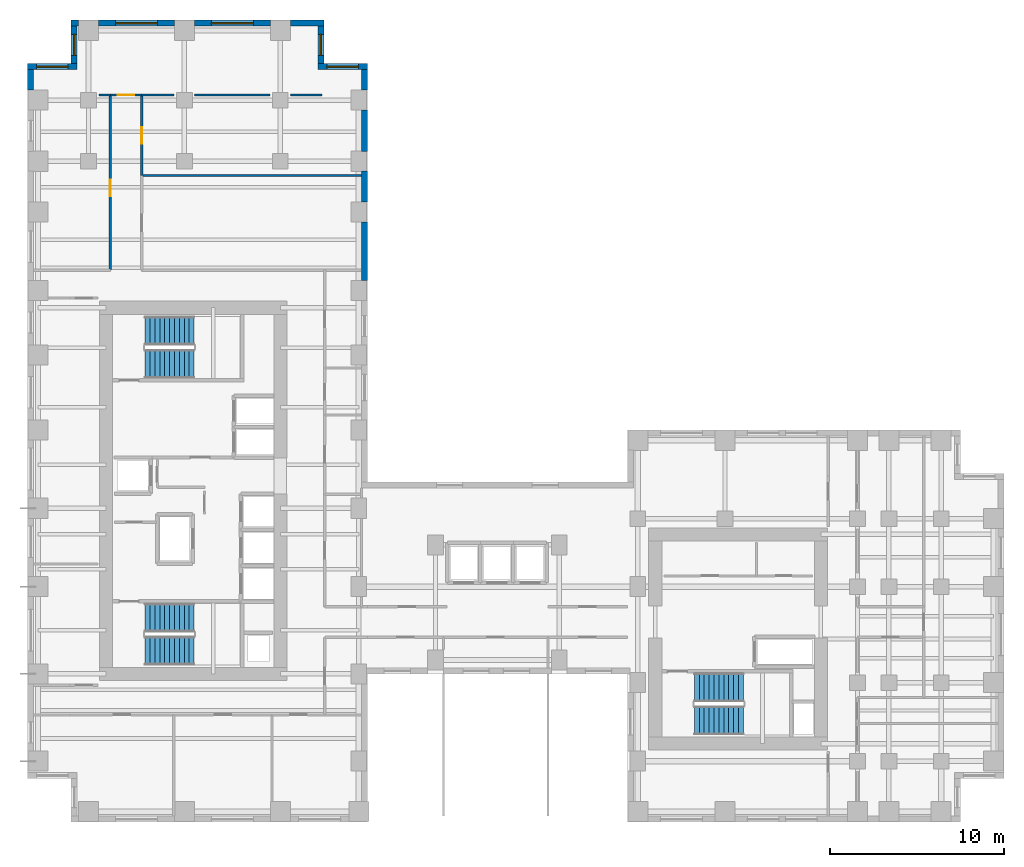
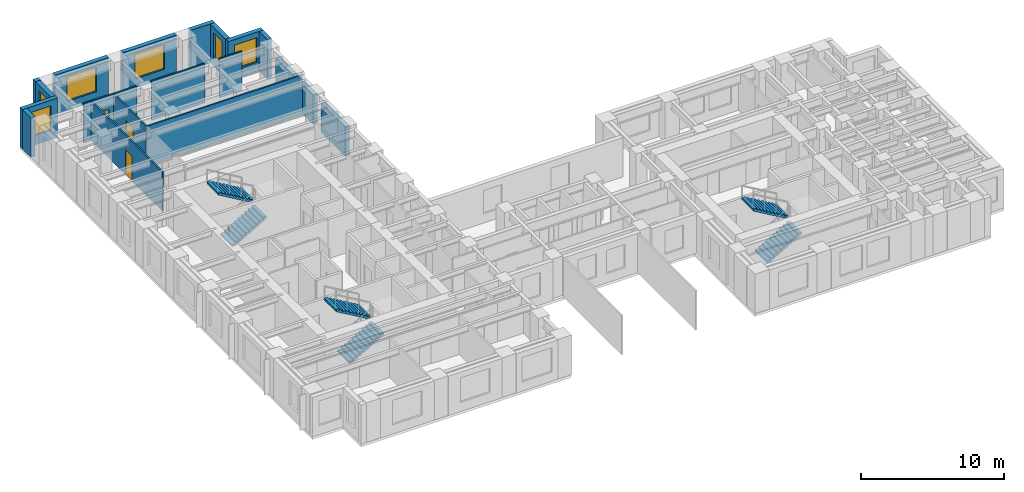
# One storey, part 9 of 11: 21 walls, 6 stair flights, 6 windows, 3 doors, 9 openings, 3 elements without a shape of their own.
"""IFC4 building model written with IfcOpenShell, lengths in metres."""

from ifc_helpers import new_model, si_unit, direction, frame, frame_2d, origin, place, context, subcontext, project, spatial, polyline, rectangle, outline, extrude, source, transform, mapped, material, layer, layer_set, type_object, element, fill, aggregate, save


model = new_model("IFC4")

# Units and contexts
model_context = context("Model", 3, precision=1e-05, world=origin(), true_north=direction((0.0, 1.0)))
body_context = subcontext(model_context, "Body", "Model", "MODEL_VIEW")
ifc_project = project(units=[si_unit("LENGTHUNIT", "METRE"), si_unit("AREAUNIT", "SQUARE_METRE"), si_unit("VOLUMEUNIT", "CUBIC_METRE"), si_unit("PLANEANGLEUNIT", "RADIAN"), si_unit("MASSUNIT", "GRAM", prefix="KILO")], contexts=[model_context])

# Site, building, storey
site_placement = place(None, origin())
site = spatial("IfcSite", under=ifc_project, at=site_placement, CompositionType="ELEMENT")
building_placement = place(site_placement, origin())
building = spatial("IfcBuilding", under=site, at=building_placement, Name="Kharzan Plaza Tower", CompositionType="ELEMENT")
storey_placement = place(building_placement, frame((0.0, 0.0, 120.60009765625)))
storey = spatial("IfcBuildingStorey", under=building, at=storey_placement, Name="L32", CompositionType="ELEMENT", Elevation=120.60009765625)

# Wall, opening, window
ifc_material_1 = material(Name="Concrete C40/50", Category="concrete")
ifc_layer_1 = layer(ifc_material_1, 0.35009765625)
ifc_layer_set_1 = layer_set([ifc_layer_1], Name="Concrete C40/50")
wall_type_1 = type_object("IfcWallType", Name="WL-EXT-MAS-Z2", PredefinedType="SOLIDWALL", material=ifc_layer_set_1)
wall_1_placement = place(storey_placement, frame((19.5, 43.324951171875, 0.0), z_axis=(0.0, 0.0, 1.0), x_axis=(-1.0, 0.0, 0.0)))
wall_1 = element("IfcWall", 1, at=wall_1_placement, inside=storey, type_object=wall_type_1, Name="L32 Masonry-Frame Exterior Wall 08", PredefinedType="SOLIDWALL", context=body_context, shape_type="SweptSolid", body=[
    extrude(rectangle(XDim=2.85009765625, YDim=0.35009765625, at=frame_2d((1.425048828125, 0.0))), origin(), (0.0, 0.0, 1.0), 3.364990234375),
])
opening_1_placement = place(wall_1_placement, frame((0.52490234375, 0.0, 0.780029296875)))
opening_1 = element("IfcOpeningElement", 2, at=opening_1_placement, cuts=wall_1, Name="Opening W1", PredefinedType="OPENING", context=body_context, shape_type="SweptSolid", body=[
    extrude(rectangle(XDim=1.800048828125, YDim=2.10009765625, at=frame_2d((0.89990234375, 1.050048828125))), frame((0.0, 0.18505859375, 0.0), z_axis=(0.0, -1.0, 0.0), x_axis=(1.0, 0.0, 0.0)), (0.0, 0.0, 1.0), 0.3701171875),
])
ifc_material_2 = material(Name="Low-E Double Glazing", Category="glass")
window_type_1 = type_object("IfcWindowType", Name="WN-REC-1800x2100", PartitioningType="SINGLE_PANEL", PredefinedType="WINDOW", material=ifc_material_2)
shared_shape_1 = source(origin(), body_context, "Body", "SweptSolid", [
    extrude(rectangle(XDim=1.800048828125, YDim=2.10009765625, at=frame_2d((0.89990234375, 1.050048828125))), frame((0.0, 0.030029296875, 0.0), z_axis=(0.0, -1.0, 0.0), x_axis=(1.0, 0.0, 0.0)), (0.0, 0.0, 1.0), 0.06005859375),
])
window_1_placement = place(opening_1_placement, origin())
window_1 = element("IfcWindow", 3, at=window_1_placement, inside=storey, type_object=window_type_1, Name="L32 Recessed Solar-Control Window 08-1", OverallHeight=2.10009765625, OverallWidth=1.800048828125, PartitioningType="SINGLE_PANEL", PredefinedType="WINDOW", context=body_context, shape_type="MappedRepresentation", body=[
    mapped(shared_shape_1, transform((0.0, 0.0, 0.0), x_axis=(1.0, 0.0, 0.0), y_axis=(0.0, 1.0, 0.0), z_axis=(0.0, 0.0, 1.0))),
])
fill(opening_1, window_1)

wall_2_placement = place(storey_placement, frame((16.824951171875, 43.498046875, 0.0), z_axis=(0.0, 0.0, 1.0), x_axis=(0.0, 1.0, 0.0)))
wall_2 = element("IfcWall", 4, at=wall_2_placement, inside=storey, type_object=wall_type_1, Name="L32 Masonry-Frame Exterior Wall 09", PredefinedType="SOLIDWALL", context=body_context, shape_type="SweptSolid", body=[
    extrude(rectangle(XDim=2.154052734375, YDim=0.35009765625, at=frame_2d((1.0771484375, 0.0))), origin(), (0.0, 0.0, 1.0), 3.364990234375),
])
opening_2_placement = place(wall_2_placement, frame((0.47705078125, 0.0, 0.780029296875)))
opening_2 = element("IfcOpeningElement", 5, at=opening_2_placement, cuts=wall_2, Name="Opening W3", PredefinedType="OPENING", context=body_context, shape_type="SweptSolid", body=[
    extrude(rectangle(XDim=1.199951171875, YDim=2.10009765625, at=frame_2d((0.60009765625, 1.050048828125))), frame((0.0, 0.18505859375, 0.0), z_axis=(0.0, -1.0, 0.0), x_axis=(1.0, 0.0, 0.0)), (0.0, 0.0, 1.0), 0.3701171875),
])
window_type_2 = type_object("IfcWindowType", Name="WN-REC-1200x2100", PartitioningType="SINGLE_PANEL", PredefinedType="WINDOW", material=ifc_material_2)
shared_shape_2 = source(origin(), body_context, "Body", "SweptSolid", [
    extrude(rectangle(XDim=1.199951171875, YDim=2.10009765625, at=frame_2d((0.60009765625, 1.050048828125))), frame((0.0, 0.030029296875, 0.0), z_axis=(0.0, -1.0, 0.0), x_axis=(1.0, 0.0, 0.0)), (0.0, 0.0, 1.0), 0.06005859375),
])
window_2_placement = place(opening_2_placement, origin())
window_2 = element("IfcWindow", 6, at=window_2_placement, inside=storey, type_object=window_type_2, Name="L32 Recessed Solar-Control Window 09-1", OverallHeight=2.10009765625, OverallWidth=1.199951171875, PartitioningType="SINGLE_PANEL", PredefinedType="WINDOW", context=body_context, shape_type="MappedRepresentation", body=[
    mapped(shared_shape_2, transform((0.0, 0.0, 0.0), x_axis=(1.0, 0.0, 0.0), y_axis=(0.0, 1.0, 0.0), z_axis=(0.0, 0.0, 1.0))),
])
fill(opening_2, window_2)

wall_3_placement = place(storey_placement, frame((13.927001953125, 45.824951171875, 0.0), z_axis=(0.0, 0.0, 1.0), x_axis=(-1.0, 0.0, 0.0)))
wall_3 = element("IfcWall", 7, at=wall_3_placement, inside=storey, type_object=wall_type_1, Name="L32 Masonry-Frame Exterior Wall 11", PredefinedType="SOLIDWALL", context=body_context, shape_type="SweptSolid", body=[
    extrude(rectangle(XDim=4.35400390625, YDim=0.35009765625, at=frame_2d((2.177001953125, 0.0))), origin(), (0.0, 0.0, 1.0), 3.364990234375),
])
opening_3_placement = place(wall_3_placement, frame((0.97705078125, 0.0, 0.780029296875)))
opening_3 = element("IfcOpeningElement", 8, at=opening_3_placement, cuts=wall_3, Name="Opening W2", PredefinedType="OPENING", context=body_context, shape_type="SweptSolid", body=[
    extrude(rectangle(XDim=2.39990234375, YDim=2.10009765625, at=frame_2d((1.199951171875, 1.050048828125))), frame((0.0, 0.18505859375, 0.0), z_axis=(0.0, -1.0, 0.0), x_axis=(1.0, 0.0, 0.0)), (0.0, 0.0, 1.0), 0.3701171875),
])
window_type_3 = type_object("IfcWindowType", Name="WN-REC-2400x2100", PartitioningType="SINGLE_PANEL", PredefinedType="WINDOW", material=ifc_material_2)
shared_shape_3 = source(origin(), body_context, "Body", "SweptSolid", [
    extrude(rectangle(XDim=2.39990234375, YDim=2.10009765625, at=frame_2d((1.199951171875, 1.050048828125))), frame((0.0, 0.030029296875, 0.0), z_axis=(0.0, -1.0, 0.0), x_axis=(1.0, 0.0, 0.0)), (0.0, 0.0, 1.0), 0.06005859375),
])
window_3_placement = place(opening_3_placement, origin())
window_3 = element("IfcWindow", 9, at=window_3_placement, inside=storey, type_object=window_type_3, Name="L32 Wide Recessed Solar-Control Window 11-1", OverallHeight=2.10009765625, OverallWidth=2.39990234375, PartitioningType="SINGLE_PANEL", PredefinedType="WINDOW", context=body_context, shape_type="MappedRepresentation", body=[
    mapped(shared_shape_3, transform((0.0, 0.0, 0.0), x_axis=(1.0, 0.0, 0.0), y_axis=(0.0, 1.0, 0.0), z_axis=(0.0, 0.0, 1.0))),
])
fill(opening_3, window_3)

wall_4_placement = place(storey_placement, frame((8.427001953125, 45.824951171875, 0.0), z_axis=(0.0, 0.0, 1.0), x_axis=(-1.0, 0.0, 0.0)))
wall_4 = element("IfcWall", 10, at=wall_4_placement, inside=storey, type_object=wall_type_1, Name="L32 Masonry-Frame Exterior Wall 12", PredefinedType="SOLIDWALL", context=body_context, shape_type="SweptSolid", body=[
    extrude(rectangle(XDim=4.35400390625, YDim=0.35009765625, at=frame_2d((2.177001953125, 0.0))), origin(), (0.0, 0.0, 1.0), 3.364990234375),
])
opening_4_placement = place(wall_4_placement, frame((0.97705078125, 0.0, 0.780029296875)))
opening_4 = element("IfcOpeningElement", 11, at=opening_4_placement, cuts=wall_4, Name="Opening W2", PredefinedType="OPENING", context=body_context, shape_type="SweptSolid", body=[
    extrude(rectangle(XDim=2.39990234375, YDim=2.10009765625, at=frame_2d((1.199951171875, 1.050048828125))), frame((0.0, 0.18505859375, 0.0), z_axis=(0.0, -1.0, 0.0), x_axis=(1.0, 0.0, 0.0)), (0.0, 0.0, 1.0), 0.3701171875),
])
window_4_placement = place(opening_4_placement, origin())
window_4 = element("IfcWindow", 12, at=window_4_placement, inside=storey, type_object=window_type_3, Name="L32 Wide Recessed Solar-Control Window 12-1", OverallHeight=2.10009765625, OverallWidth=2.39990234375, PartitioningType="SINGLE_PANEL", PredefinedType="WINDOW", context=body_context, shape_type="MappedRepresentation", body=[
    mapped(shared_shape_3, transform((0.0, 0.0, 0.0), x_axis=(1.0, 0.0, 0.0), y_axis=(0.0, 1.0, 0.0), z_axis=(0.0, 0.0, 1.0))),
])
fill(opening_4, window_4)

wall_5_placement = place(storey_placement, frame((2.675048828125, 45.652099609375, 0.0), z_axis=(0.0, 0.0, 1.0), x_axis=(0.0, -1.0, 0.0)))
wall_5 = element("IfcWall", 13, at=wall_5_placement, inside=storey, type_object=wall_type_1, Name="L32 Masonry-Frame Exterior Wall 14", PredefinedType="SOLIDWALL", context=body_context, shape_type="SweptSolid", body=[
    extrude(rectangle(XDim=2.154052734375, YDim=0.35009765625, at=frame_2d((1.0771484375, 0.0))), origin(), (0.0, 0.0, 1.0), 3.364990234375),
])
opening_5_placement = place(wall_5_placement, frame((0.47705078125, 0.0, 0.780029296875)))
opening_5 = element("IfcOpeningElement", 14, at=opening_5_placement, cuts=wall_5, Name="Opening W3", PredefinedType="OPENING", context=body_context, shape_type="SweptSolid", body=[
    extrude(rectangle(XDim=1.199951171875, YDim=2.10009765625, at=frame_2d((0.60009765625, 1.050048828125))), frame((0.0, 0.18505859375, 0.0), z_axis=(0.0, -1.0, 0.0), x_axis=(1.0, 0.0, 0.0)), (0.0, 0.0, 1.0), 0.3701171875),
])
window_5_placement = place(opening_5_placement, origin())
window_5 = element("IfcWindow", 15, at=window_5_placement, inside=storey, type_object=window_type_2, Name="L32 Recessed Solar-Control Window 14-1", OverallHeight=2.10009765625, OverallWidth=1.199951171875, PartitioningType="SINGLE_PANEL", PredefinedType="WINDOW", context=body_context, shape_type="MappedRepresentation", body=[
    mapped(shared_shape_2, transform((0.0, 0.0, 0.0), x_axis=(1.0, 0.0, 0.0), y_axis=(0.0, 1.0, 0.0), z_axis=(0.0, 0.0, 1.0))),
])
fill(opening_5, window_5)

wall_6_placement = place(storey_placement, frame((2.85009765625, 43.324951171875, 0.0), z_axis=(0.0, 0.0, 1.0), x_axis=(-1.0, 0.0, 0.0)))
wall_6 = element("IfcWall", 16, at=wall_6_placement, inside=storey, type_object=wall_type_1, Name="L32 Masonry-Frame Exterior Wall 15", PredefinedType="SOLIDWALL", context=body_context, shape_type="SweptSolid", body=[
    extrude(rectangle(XDim=2.85009765625, YDim=0.35009765625, at=frame_2d((1.425048828125, 0.0))), origin(), (0.0, 0.0, 1.0), 3.364990234375),
])
opening_6_placement = place(wall_6_placement, frame((0.52490234375, 0.0, 0.780029296875)))
opening_6 = element("IfcOpeningElement", 17, at=opening_6_placement, cuts=wall_6, Name="Opening W1", PredefinedType="OPENING", context=body_context, shape_type="SweptSolid", body=[
    extrude(rectangle(XDim=1.800048828125, YDim=2.10009765625, at=frame_2d((0.89990234375, 1.050048828125))), frame((0.0, 0.18505859375, 0.0), z_axis=(0.0, -1.0, 0.0), x_axis=(1.0, 0.0, 0.0)), (0.0, 0.0, 1.0), 0.3701171875),
])
window_6_placement = place(opening_6_placement, origin())
window_6 = element("IfcWindow", 18, at=window_6_placement, inside=storey, type_object=window_type_1, Name="L32 Recessed Solar-Control Window 15-1", OverallHeight=2.10009765625, OverallWidth=1.800048828125, PartitioningType="SINGLE_PANEL", PredefinedType="WINDOW", context=body_context, shape_type="MappedRepresentation", body=[
    mapped(shared_shape_1, transform((0.0, 0.0, 0.0), x_axis=(1.0, 0.0, 0.0), y_axis=(0.0, 1.0, 0.0), z_axis=(0.0, 0.0, 1.0))),
])
fill(opening_6, window_6)

# Wall, opening, door
ifc_material_3 = material(Name="Fire-Rated Gypsum Board Partition", Category="gypsum")
ifc_layer_2 = layer(ifc_material_3, 0.125)
ifc_layer_set_2 = layer_set([ifc_layer_2], Name="Fire-Rated Gypsum Board Partition")
wall_type_2 = type_object("IfcWallType", Name="WL-INT-PART-125", PredefinedType="PARTITIONING", material=ifc_layer_set_2)
wall_7_placement = place(storey_placement, frame((6.550048828125, 37.076904296875, 0.0), z_axis=(0.0, 0.0, 1.0), x_axis=(0.0, 1.0, 0.0)))
wall_7 = element("IfcWall", 19, at=wall_7_placement, inside=storey, type_object=wall_type_2, Name="L32 Interior Partition SH-SPE-2", PredefinedType="PARTITIONING", context=body_context, shape_type="SweptSolid", body=[
    extrude(rectangle(XDim=4.623046875, YDim=0.125, at=frame_2d((2.3115234375, 0.0))), origin(), (0.0, 0.0, 1.0), 3.364990234375),
])
opening_7_placement = place(wall_7_placement, frame((1.83642578125, 0.0, 0.0)))
opening_7 = element("IfcOpeningElement", 20, at=opening_7_placement, cuts=wall_7, Name="Opening OD1", PredefinedType="OPENING", context=body_context, shape_type="SweptSolid", body=[
    extrude(rectangle(XDim=0.949951171875, YDim=2.14990234375, at=frame_2d((0.47509765625, 1.074951171875))), frame((0.0, 0.072509765625, 0.0), z_axis=(0.0, -1.0, 0.0), x_axis=(1.0, 0.0, 0.0)), (0.0, 0.0, 1.0), 0.14501953125),
])
ifc_material_4 = material(Name="Acoustic Solid-Core Stained Oak", Category="timber")
door_type = type_object("IfcDoorType", Name="DR-OFF-SINGLE", OperationType="NOTDEFINED", PredefinedType="DOOR", material=ifc_material_4)
shared_shape_4 = source(origin(), body_context, "Body", "SweptSolid", [
    extrude(rectangle(XDim=0.949951171875, YDim=2.14990234375, at=frame_2d((0.47509765625, 1.074951171875))), frame((0.0, 0.02490234375, 0.0), z_axis=(0.0, -1.0, 0.0), x_axis=(1.0, 0.0, 0.0)), (0.0, 0.0, 1.0), 0.050048828125),
])
door_1_placement = place(opening_7_placement, origin())
door_1 = element("IfcDoor", 21, at=door_1_placement, inside=storey, type_object=door_type, Name="L32 Instrumentation Calibration Lab Door", OperationType="SINGLE_SWING_LEFT", OverallHeight=2.14990234375, OverallWidth=0.949951171875, PredefinedType="DOOR", context=body_context, shape_type="MappedRepresentation", body=[
    mapped(shared_shape_4, transform((0.0, 0.0, 0.0), x_axis=(1.0, 0.0, 0.0), y_axis=(0.0, 1.0, 0.0), z_axis=(0.0, 0.0, 1.0))),
])
fill(opening_7, door_1)

wall_8_placement = place(storey_placement, frame((4.75, 41.699951171875, 0.0), z_axis=(0.0, 0.0, 1.0), x_axis=(1.0, 0.0, 0.0)))
wall_8 = element("IfcWall", 22, at=wall_8_placement, inside=storey, type_object=wall_type_2, Name="L32 Interior Partition SH-SPHD", PredefinedType="PARTITIONING", context=body_context, shape_type="SweptSolid", body=[
    extrude(rectangle(XDim=1.800048828125, YDim=0.125, at=frame_2d((0.89990234375, 0.0))), origin(), (0.0, 0.0, 1.0), 3.364990234375),
])
opening_8_placement = place(wall_8_placement, frame((0.425048828125, 0.0, 0.0)))
opening_8 = element("IfcOpeningElement", 23, at=opening_8_placement, cuts=wall_8, Name="Opening OD1", PredefinedType="OPENING", context=body_context, shape_type="SweptSolid", body=[
    extrude(rectangle(XDim=0.949951171875, YDim=2.14990234375, at=frame_2d((0.47509765625, 1.074951171875))), frame((0.0, 0.072509765625, 0.0), z_axis=(0.0, -1.0, 0.0), x_axis=(1.0, 0.0, 0.0)), (0.0, 0.0, 1.0), 0.14501953125),
])
door_2_placement = place(opening_8_placement, origin())
door_2 = element("IfcDoor", 24, at=door_2_placement, inside=storey, type_object=door_type, Name="L32 North Boardroom Door", OperationType="SINGLE_SWING_RIGHT", OverallHeight=2.14990234375, OverallWidth=0.949951171875, PredefinedType="DOOR", context=body_context, shape_type="MappedRepresentation", body=[
    mapped(shared_shape_4, transform((0.0, 0.0, 0.0), x_axis=(1.0, 0.0, 0.0), y_axis=(0.0, 1.0, 0.0), z_axis=(0.0, 0.0, 1.0))),
])
fill(opening_8, door_2)

wall_9_placement = place(storey_placement, frame((4.75, 31.64990234375, 0.0), z_axis=(0.0, 0.0, 1.0), x_axis=(0.0, 1.0, 0.0)))
wall_9 = element("IfcWall", 25, at=wall_9_placement, inside=storey, type_object=wall_type_2, Name="L32 Interior Partition SH-SPW-1", PredefinedType="PARTITIONING", context=body_context, shape_type="SweptSolid", body=[
    extrude(rectangle(XDim=10.050048828125, YDim=0.125, at=frame_2d((5.02490234375, 0.0))), origin(), (0.0, 0.0, 1.0), 3.364990234375),
])
opening_9_placement = place(wall_9_placement, frame((4.2451171875, 0.0, 0.0)))
opening_9 = element("IfcOpeningElement", 26, at=opening_9_placement, cuts=wall_9, Name="Opening OD1", PredefinedType="OPENING", context=body_context, shape_type="SweptSolid", body=[
    extrude(rectangle(XDim=0.949951171875, YDim=2.14990234375, at=frame_2d((0.47509765625, 1.074951171875))), frame((0.0, 0.072509765625, 0.0), z_axis=(0.0, -1.0, 0.0), x_axis=(1.0, 0.0, 0.0)), (0.0, 0.0, 1.0), 0.14501953125),
])
door_3_placement = place(opening_9_placement, origin())
door_3 = element("IfcDoor", 27, at=door_3_placement, inside=storey, type_object=door_type, Name="L32 Staff Tea Pantry Door", OperationType="SINGLE_SWING_LEFT", OverallHeight=2.14990234375, OverallWidth=0.949951171875, PredefinedType="DOOR", context=body_context, shape_type="MappedRepresentation", body=[
    mapped(shared_shape_4, transform((0.0, 0.0, 0.0), x_axis=(1.0, 0.0, 0.0), y_axis=(0.0, 1.0, 0.0), z_axis=(0.0, 0.0, 1.0))),
])
fill(opening_9, door_3)

# Walls
shared_shape_5 = source(origin(), body_context, "Body", "SweptSolid", [
    extrude(rectangle(XDim=1.927001953125, YDim=0.35009765625, at=frame_2d((0.96337890625, 0.0))), origin(), (0.0, 0.0, 1.0), 3.364990234375),
])
wall_10_placement = place(storey_placement, frame((17.0, 45.824951171875, 0.0), z_axis=(0.0, 0.0, 1.0), x_axis=(-1.0, 0.0, 0.0)))
element("IfcWall", 28, at=wall_10_placement, inside=storey, type_object=wall_type_1, Name="L32 Masonry-Frame Exterior Wall 10", PredefinedType="SOLIDWALL", context=body_context, shape_type="MappedRepresentation", body=[
    mapped(shared_shape_5, transform((0.0, 0.0, 0.0), x_axis=(1.0, 0.0, 0.0), y_axis=(0.0, 1.0, 0.0), z_axis=(0.0, 0.0, 1.0))),
])
shared_shape_6 = source(origin(), body_context, "Body", "SweptSolid", [
    extrude(rectangle(XDim=0.427001953125, YDim=0.35009765625, at=frame_2d((0.21337890625, 0.0))), origin(), (0.0, 0.0, 1.0), 3.364990234375),
])
wall_11_placement = place(storey_placement, frame((2.927001953125, 45.824951171875, 0.0), z_axis=(0.0, 0.0, 1.0), x_axis=(-1.0, 0.0, 0.0)))
element("IfcWall", 29, at=wall_11_placement, inside=storey, type_object=wall_type_1, Name="L32 Masonry-Frame Exterior Wall 13", PredefinedType="SOLIDWALL", context=body_context, shape_type="MappedRepresentation", body=[
    mapped(shared_shape_6, transform((0.0, 0.0, 0.0), x_axis=(1.0, 0.0, 0.0), y_axis=(0.0, 1.0, 0.0), z_axis=(0.0, 0.0, 1.0))),
])
shared_shape_7 = source(origin(), body_context, "Body", "SweptSolid", [
    extrude(rectangle(XDim=1.17919921875, YDim=0.35009765625, at=frame_2d((0.589599609375, 0.0))), origin(), (0.0, 0.0, 1.0), 3.364990234375),
])
for number, where, z_axis, x_axis, name in (
    (30, (19.324951171875, 41.972900390625, 0.0), (0.0, 0.0, 1.0), (0.0, 1.0, 0.0), "L32 Masonry-Frame Exterior Wall 07"),
    (31, (0.175048828125, 43.152099609375, 0.0), (0.0, 0.0, 1.0), (0.0, -1.0, 0.0), "L32 Masonry-Frame Exterior Wall 16"),
):
    element("IfcWall", number, at=place(storey_placement, frame(where, z_axis=z_axis, x_axis=x_axis)), inside=storey, type_object=wall_type_1, Name=name, PredefinedType="SOLIDWALL", context=body_context, shape_type="MappedRepresentation", body=[
        mapped(shared_shape_7, transform((0.0, 0.0, 0.0), x_axis=(1.0, 0.0, 0.0), y_axis=(0.0, 1.0, 0.0), z_axis=(0.0, 0.0, 1.0))),
    ])
shared_shape_8 = source(origin(), body_context, "Body", "SweptSolid", [
    extrude(rectangle(XDim=1.75390625, YDim=0.35009765625, at=frame_2d((0.876953125, 0.0))), origin(), (0.0, 0.0, 1.0), 2.518798828125),
])
wall_12_placement = place(storey_placement, frame((19.324951171875, 35.572998046875, 0.0), z_axis=(0.0, 0.0, 1.0), x_axis=(0.0, 1.0, 0.0)))
element("IfcWall", 32, at=wall_12_placement, inside=storey, type_object=wall_type_1, Name="L32 Masonry-Frame Exterior Wall 05", PredefinedType="SOLIDWALL", context=body_context, shape_type="MappedRepresentation", body=[
    mapped(shared_shape_8, transform((0.0, 0.0, 0.0), x_axis=(1.0, 0.0, 0.0), y_axis=(0.0, 1.0, 0.0), z_axis=(0.0, 0.0, 1.0))),
])
shared_shape_9 = source(origin(), body_context, "Body", "SweptSolid", [
    extrude(rectangle(XDim=3.35400390625, YDim=0.35009765625, at=frame_2d((1.677001953125, 0.0))), origin(), (0.0, 0.0, 1.0), 2.518798828125),
])
wall_13_placement = place(storey_placement, frame((19.324951171875, 31.072998046875, 0.0), z_axis=(0.0, 0.0, 1.0), x_axis=(0.0, 1.0, 0.0)))
element("IfcWall", 33, at=wall_13_placement, inside=storey, type_object=wall_type_1, Name="L32 Masonry-Frame Exterior Wall 04", PredefinedType="SOLIDWALL", context=body_context, shape_type="MappedRepresentation", body=[
    mapped(shared_shape_9, transform((0.0, 0.0, 0.0), x_axis=(1.0, 0.0, 0.0), y_axis=(0.0, 1.0, 0.0), z_axis=(0.0, 0.0, 1.0))),
])
shared_shape_10 = source(origin(), body_context, "Body", "SweptSolid", [
    extrude(rectangle(XDim=2.35400390625, YDim=0.35009765625, at=frame_2d((1.177001953125, 0.0))), origin(), (0.0, 0.0, 1.0), 2.518798828125),
])
wall_14_placement = place(storey_placement, frame((19.324951171875, 38.472900390625, 0.0), z_axis=(0.0, 0.0, 1.0), x_axis=(0.0, 1.0, 0.0)))
element("IfcWall", 34, at=wall_14_placement, inside=storey, type_object=wall_type_1, Name="L32 Masonry-Frame Exterior Wall 06", PredefinedType="SOLIDWALL", context=body_context, shape_type="MappedRepresentation", body=[
    mapped(shared_shape_10, transform((0.0, 0.0, 0.0), x_axis=(1.0, 0.0, 0.0), y_axis=(0.0, 1.0, 0.0), z_axis=(0.0, 0.0, 1.0))),
])
shared_shape_11 = source(origin(), body_context, "Body", "SweptSolid", [
    extrude(rectangle(XDim=12.597900390625, YDim=0.125, at=frame_2d((6.298828125, 0.0))), origin(), (0.0, 0.0, 1.0), 3.364990234375),
])
wall_15_placement = place(storey_placement, frame((6.550048828125, 37.076904296875, 0.0), z_axis=(0.0, 0.0, 1.0), x_axis=(1.0, 0.0, 0.0)))
element("IfcWall", 35, at=wall_15_placement, inside=storey, type_object=wall_type_2, Name="L32 Interior Partition SH-NEH-1", PredefinedType="PARTITIONING", context=body_context, shape_type="MappedRepresentation", body=[
    mapped(shared_shape_11, transform((0.0, 0.0, 0.0), x_axis=(1.0, 0.0, 0.0), y_axis=(0.0, 1.0, 0.0), z_axis=(0.0, 0.0, 1.0))),
])
shared_shape_12 = source(origin(), body_context, "Body", "SweptSolid", [
    extrude(rectangle(XDim=0.659912109375, YDim=0.125, at=frame_2d((0.330078125, 0.0))), origin(), (0.0, 0.0, 1.0), 3.364990234375),
])
wall_16_placement = place(storey_placement, frame((4.090087890625, 41.699951171875, 0.0), z_axis=(0.0, 0.0, 1.0), x_axis=(1.0, 0.0, 0.0)))
element("IfcWall", 36, at=wall_16_placement, inside=storey, type_object=wall_type_2, Name="L32 Interior Partition SH-SPHW", PredefinedType="PARTITIONING", context=body_context, shape_type="MappedRepresentation", body=[
    mapped(shared_shape_12, transform((0.0, 0.0, 0.0), x_axis=(1.0, 0.0, 0.0), y_axis=(0.0, 1.0, 0.0), z_axis=(0.0, 0.0, 1.0))),
])
shared_shape_13 = source(origin(), body_context, "Body", "SweptSolid", [
    extrude(rectangle(XDim=1.85986328125, YDim=0.125, at=frame_2d((0.929931640625, 0.0))), origin(), (0.0, 0.0, 1.0), 3.364990234375),
])
wall_17_placement = place(storey_placement, frame((6.550048828125, 41.699951171875, 0.0), z_axis=(0.0, 0.0, 1.0), x_axis=(1.0, 0.0, 0.0)))
element("IfcWall", 37, at=wall_17_placement, inside=storey, type_object=wall_type_2, Name="L32 Interior Partition SH-SPHE-S1", PredefinedType="PARTITIONING", context=body_context, shape_type="MappedRepresentation", body=[
    mapped(shared_shape_13, transform((0.0, 0.0, 0.0), x_axis=(1.0, 0.0, 0.0), y_axis=(0.0, 1.0, 0.0), z_axis=(0.0, 0.0, 1.0))),
])
shared_shape_14 = source(origin(), body_context, "Body", "SweptSolid", [
    extrude(rectangle(XDim=4.31982421875, YDim=0.125, at=frame_2d((2.159912109375, 0.0))), origin(), (0.0, 0.0, 1.0), 3.364990234375),
])
wall_18_placement = place(storey_placement, frame((9.590087890625, 41.699951171875, 0.0), z_axis=(0.0, 0.0, 1.0), x_axis=(1.0, 0.0, 0.0)))
element("IfcWall", 38, at=wall_18_placement, inside=storey, type_object=wall_type_2, Name="L32 Interior Partition SH-SPHE-S2", PredefinedType="PARTITIONING", context=body_context, shape_type="MappedRepresentation", body=[
    mapped(shared_shape_14, transform((0.0, 0.0, 0.0), x_axis=(1.0, 0.0, 0.0), y_axis=(0.0, 1.0, 0.0), z_axis=(0.0, 0.0, 1.0))),
])
shared_shape_15 = source(origin(), body_context, "Body", "SweptSolid", [
    extrude(rectangle(XDim=1.809814453125, YDim=0.125, at=frame_2d((0.90478515625, 0.0))), origin(), (0.0, 0.0, 1.0), 3.364990234375),
])
wall_19_placement = place(storey_placement, frame((15.090087890625, 41.699951171875, 0.0), z_axis=(0.0, 0.0, 1.0), x_axis=(1.0, 0.0, 0.0)))
element("IfcWall", 39, at=wall_19_placement, inside=storey, type_object=wall_type_2, Name="L32 Interior Partition SH-SPHE-S3", PredefinedType="PARTITIONING", context=body_context, shape_type="MappedRepresentation", body=[
    mapped(shared_shape_15, transform((0.0, 0.0, 0.0), x_axis=(1.0, 0.0, 0.0), y_axis=(0.0, 1.0, 0.0), z_axis=(0.0, 0.0, 1.0))),
])

# Stair, stair flights
stair_type_1 = type_object("IfcStairType", Name="STR-ST-1", PredefinedType="HALF_TURN_STAIR", material=ifc_material_1)
stair_1_placement = place(storey_placement, origin())
stair_1 = element("IfcStair", 40, at=stair_1_placement, inside=storey, type_object=stair_type_1, Name="L32 Protected Exit Stair ST-1", PredefinedType="HALF_TURN_STAIR")
stair_flight_type = type_object("IfcStairFlightType", Name="SFL-1650-R173", PredefinedType="STRAIGHT", material=ifc_material_1)
shared_shape_16 = source(origin(), body_context, "Body", "SweptSolid", [
    extrude(outline(polyline([(-0.0029296875, -0.011962890625), (-0.0029296875, 0.0), (0.0, 0.0), (0.0, 0.16357421875), (0.280029296875, 0.16357421875), (0.280029296875, 0.3271484375), (0.56005859375, 0.3271484375), (0.56005859375, 0.49072265625), (0.840087890625, 0.49072265625), (0.840087890625, 0.654296875), (1.1201171875, 0.654296875), (1.1201171875, 0.81787109375), (1.400146484375, 0.81787109375), (1.400146484375, 0.9814453125), (1.68017578125, 0.9814453125), (1.68017578125, 1.14501953125), (1.960205078125, 1.14501953125), (1.960205078125, 1.30859375), (2.240234375, 1.30859375), (2.240234375, 1.47216796875), (2.520263671875, 1.47216796875), (2.520263671875, 1.6357421875), (2.80029296875, 1.6357421875), (2.80029296875, 1.79931640625), (2.80029296875, 1.462158203125), (0.297119140625, 0.0), (0.297119140625, -0.011962890625), (-0.0029296875, -0.011962890625)])), frame((0.0, 0.824951171875, 0.0), z_axis=(0.0, -1.0, 0.0), x_axis=(1.0, 0.0, 0.0)), (0.0, 0.0, 1.0), 1.64990234375),
])
stair_flight_1_placement = place(storey_placement, frame((6.75, 9.824951171875, 0.0), z_axis=(0.0, 0.0, 1.0), x_axis=(1.0, 0.0, 0.0)))
stair_flight_1 = element("IfcStairFlight", 41, at=stair_flight_1_placement, type_object=stair_flight_type, Name="ST-1 flight 1", NumberOfRisers=11, NumberOfTreads=10, PredefinedType="STRAIGHT", RiserHeight=0.163636364, TreadLength=0.28, context=body_context, shape_type="MappedRepresentation", body=[
    mapped(shared_shape_16, transform((0.0, 0.0, 0.0), x_axis=(1.0, 0.0, 0.0), y_axis=(0.0, 1.0, 0.0), z_axis=(0.0, 0.0, 1.0))),
])
stair_flight_2_placement = place(storey_placement, frame((9.550048828125, 11.72509765625, 1.7998046875), z_axis=(0.0, 0.0, 1.0), x_axis=(-1.0, 0.0, 0.0)))
stair_flight_2 = element("IfcStairFlight", 42, at=stair_flight_2_placement, type_object=stair_flight_type, Name="ST-1 flight 2", NumberOfRisers=11, NumberOfTreads=10, PredefinedType="STRAIGHT", RiserHeight=0.163636364, TreadLength=0.28, context=body_context, shape_type="MappedRepresentation", body=[
    mapped(shared_shape_16, transform((0.0, 0.0, 0.0), x_axis=(1.0, 0.0, 0.0), y_axis=(0.0, 1.0, 0.0), z_axis=(0.0, 0.0, 1.0))),
])
aggregate(stair_1, [stair_flight_1, stair_flight_2])

stair_type_2 = type_object("IfcStairType", Name="STR-ST-2", PredefinedType="HALF_TURN_STAIR", material=ifc_material_1)
stair_2_placement = place(storey_placement, origin())
stair_2 = element("IfcStair", 43, at=stair_2_placement, inside=storey, type_object=stair_type_2, Name="L32 Protected Exit Stair ST-2", PredefinedType="HALF_TURN_STAIR")
stair_flight_3_placement = place(storey_placement, frame((6.75, 26.27490234375, 0.0), z_axis=(0.0, 0.0, 1.0), x_axis=(1.0, 0.0, 0.0)))
stair_flight_3 = element("IfcStairFlight", 44, at=stair_flight_3_placement, type_object=stair_flight_type, Name="ST-2 flight 1", NumberOfRisers=11, NumberOfTreads=10, PredefinedType="STRAIGHT", RiserHeight=0.163636364, TreadLength=0.28, context=body_context, shape_type="MappedRepresentation", body=[
    mapped(shared_shape_16, transform((0.0, 0.0, 0.0), x_axis=(1.0, 0.0, 0.0), y_axis=(0.0, 1.0, 0.0), z_axis=(0.0, 0.0, 1.0))),
])
stair_flight_4_placement = place(storey_placement, frame((9.550048828125, 28.175048828125, 1.7998046875), z_axis=(0.0, 0.0, 1.0), x_axis=(-1.0, 0.0, 0.0)))
stair_flight_4 = element("IfcStairFlight", 45, at=stair_flight_4_placement, type_object=stair_flight_type, Name="ST-2 flight 2", NumberOfRisers=11, NumberOfTreads=10, PredefinedType="STRAIGHT", RiserHeight=0.163636364, TreadLength=0.28, context=body_context, shape_type="MappedRepresentation", body=[
    mapped(shared_shape_16, transform((0.0, 0.0, 0.0), x_axis=(1.0, 0.0, 0.0), y_axis=(0.0, 1.0, 0.0), z_axis=(0.0, 0.0, 1.0))),
])
aggregate(stair_2, [stair_flight_3, stair_flight_4])

stair_type_3 = type_object("IfcStairType", Name="STR-ST-3", PredefinedType="HALF_TURN_STAIR", material=ifc_material_1)
stair_3_placement = place(storey_placement, origin())
stair_3 = element("IfcStair", 46, at=stair_3_placement, inside=storey, type_object=stair_type_3, Name="L32 Protected Exit Stair ST-3", PredefinedType="HALF_TURN_STAIR")
stair_flight_5_placement = place(storey_placement, frame((38.25, 5.824951171875, 0.0), z_axis=(0.0, 0.0, 1.0), x_axis=(1.0, 0.0, 0.0)))
stair_flight_5 = element("IfcStairFlight", 47, at=stair_flight_5_placement, type_object=stair_flight_type, Name="ST-3 flight 1", NumberOfRisers=11, NumberOfTreads=10, PredefinedType="STRAIGHT", RiserHeight=0.163636364, TreadLength=0.28, context=body_context, shape_type="MappedRepresentation", body=[
    mapped(shared_shape_16, transform((0.0, 0.0, 0.0), x_axis=(1.0, 0.0, 0.0), y_axis=(0.0, 1.0, 0.0), z_axis=(0.0, 0.0, 1.0))),
])
stair_flight_6_placement = place(storey_placement, frame((41.050048828125, 7.72509765625, 1.7998046875), z_axis=(0.0, 0.0, 1.0), x_axis=(-1.0, 0.0, 0.0)))
stair_flight_6 = element("IfcStairFlight", 48, at=stair_flight_6_placement, type_object=stair_flight_type, Name="ST-3 flight 2", NumberOfRisers=11, NumberOfTreads=10, PredefinedType="STRAIGHT", RiserHeight=0.163636364, TreadLength=0.28, context=body_context, shape_type="MappedRepresentation", body=[
    mapped(shared_shape_16, transform((0.0, 0.0, 0.0), x_axis=(1.0, 0.0, 0.0), y_axis=(0.0, 1.0, 0.0), z_axis=(0.0, 0.0, 1.0))),
])
aggregate(stair_3, [stair_flight_5, stair_flight_6])

save(model, "model.ifc")
